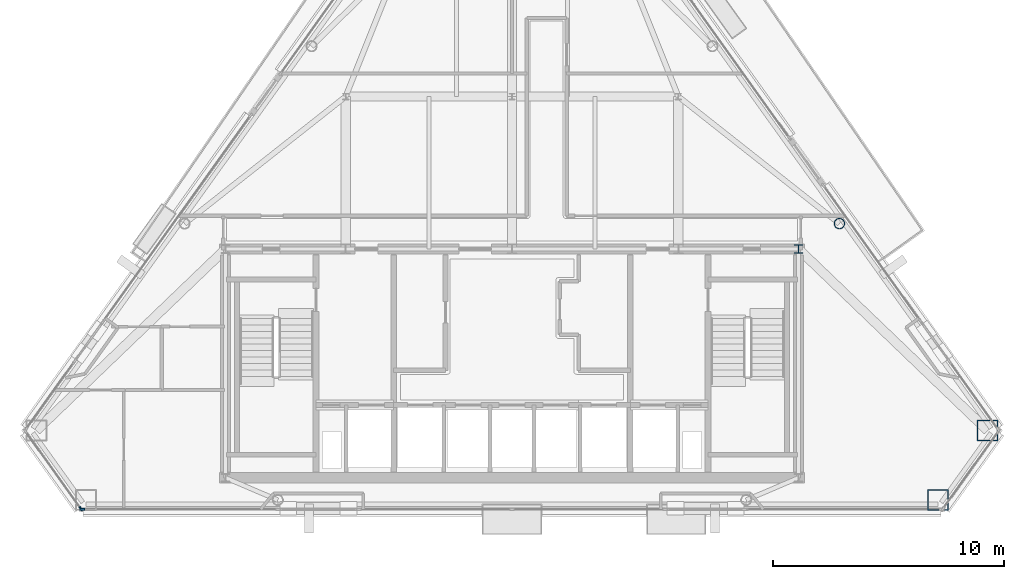
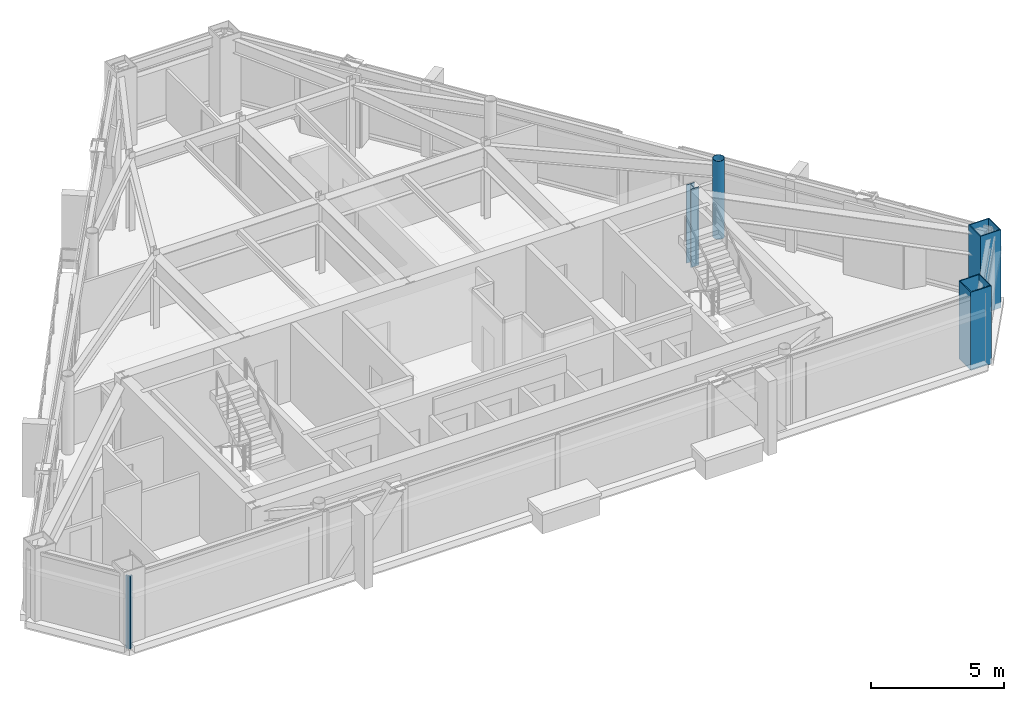
# One storey, part 3 of 12: 4 columns, 2 members, 2 elements without a shape of their own.
"""IFC4 building model written with IfcOpenShell, lengths in metres."""

from ifc_helpers import new_model, si_unit, direction, frame, origin, origin_2d, place, context, subcontext, project, spatial, rectangle, hollow_rectangle, hollow_circle, i_section, extrude, material, layer, layer_set, material_profile, profile_set, type_object, element, aggregate, save


model = new_model("IFC4")

# Units and contexts
model_context = context("Model", 3, precision=1e-05, world=origin(), true_north=direction((0.0, 1.0)))
body_context = subcontext(model_context, "Body", "Model", "MODEL_VIEW")
ifc_project = project(units=[si_unit("LENGTHUNIT", "METRE"), si_unit("AREAUNIT", "SQUARE_METRE"), si_unit("VOLUMEUNIT", "CUBIC_METRE"), si_unit("PLANEANGLEUNIT", "RADIAN"), si_unit("MASSUNIT", "GRAM", prefix="KILO")], contexts=[model_context])

# Site, building, storey
site_placement = place(None, origin())
site = spatial("IfcSite", under=ifc_project, at=site_placement, CompositionType="ELEMENT")
building_placement = place(site_placement, origin())
building = spatial("IfcBuilding", under=site, at=building_placement, Name="Talgorran Terracotta Tower", CompositionType="ELEMENT")
storey_placement = place(building_placement, frame((0.0, 0.0, 252.60009765625)))
storey = spatial("IfcBuildingStorey", under=building, at=storey_placement, Name="L66", CompositionType="ELEMENT", Elevation=252.60009765625)

# Columns
ifc_material_1 = material(Name="Steel S355 (300PLUS)", Category="steel")
ifc_material_profile_1 = material_profile(ifc_material_1, i_section(OverallWidth=0.35205078125, OverallDepth=0.35888671875, WebThickness=0.01806640625, FlangeThickness=0.02587890625, at=origin_2d()), Name="350WC197")
ifc_profile_set_1 = profile_set([ifc_material_profile_1], Name="Steel S355 (300PLUS)")
column_type_1 = type_object("IfcColumnType", Name="COL_350WC197", PredefinedType="COLUMN", material=ifc_profile_set_1)
column_1_placement = place(storey_placement, frame((12.39990234375, -4.199951171875, 0.0), z_axis=(0.0, 0.0, 1.0), x_axis=(1.0, 0.0, 0.0)))
element("IfcColumn", 1, at=column_1_placement, inside=storey, type_object=column_type_1, Name="L66 Core Boundary Column CC3", PredefinedType="COLUMN", context=body_context, shape_type="SweptSolid", body=[
    extrude(i_section(OverallWidth=0.35205078125, OverallDepth=0.35888671875, WebThickness=0.01806640625, FlangeThickness=0.02587890625, at=origin_2d()), origin(), (0.0, 0.0, 1.0), 3.599853515625),
])
ifc_material_2 = material(Name="Steel Grade 350 (350L0)", Category="steel")
ifc_material_profile_2 = material_profile(ifc_material_2, hollow_rectangle(XDim=0.89990234375, YDim=0.89990234375, WallThickness=0.0400390625, at=origin_2d()), Name="CFT900X900X40")
ifc_profile_set_2 = profile_set([ifc_material_profile_2], Name="Steel Grade 350 (350L0)")
column_type_2 = type_object("IfcColumnType", Name="COL_CFT_900", PredefinedType="COLUMN", material=ifc_profile_set_2)
for number, where, z_axis, x_axis, name in (
    (2, (18.43212890625, -15.063232421875, 0.0), (0.0, 0.0, 1.0), (1.0, 0.0, 0.0), "L66 Corner CFT Mega-Column MC3"),
    (3, (20.585205078125, -12.056640625, 0.0), (0.0, 0.0, 1.0), (1.0, 0.0, 0.0), "L66 Corner CFT Mega-Column MC4"),
):
    element("IfcColumn", number, at=place(storey_placement, frame(where, z_axis=z_axis, x_axis=x_axis)), inside=storey, type_object=column_type_2, Name=name, PredefinedType="COLUMN", context=body_context, shape_type="SweptSolid", body=[
        extrude(hollow_rectangle(XDim=0.89990234375, YDim=0.89990234375, WallThickness=0.0400390625, at=origin_2d()), origin(), (0.0, 0.0, 1.0), 3.599853515625),
    ])
ifc_material_3 = material(Name="Steel S350 (C350L0)", Category="steel")
ifc_material_profile_3 = material_profile(ifc_material_3, hollow_circle(Radius=0.228515625, WallThickness=0.01611328125, at=origin_2d()), Name="CHS457X16")
ifc_profile_set_3 = profile_set([ifc_material_profile_3], Name="Steel S350 (C350L0)")
column_type_3 = type_object("IfcColumnType", Name="COL_CHS_457", PredefinedType="COLUMN", material=ifc_profile_set_3)
column_2_placement = place(storey_placement, frame((14.170654296875, -3.09912109375, 0.0), z_axis=(0.0, 0.0, 1.0), x_axis=(1.0, 0.0, 0.0)))
element("IfcColumn", 4, at=column_2_placement, inside=storey, type_object=column_type_3, Name="L66 Facet Perimeter Column FC3", PredefinedType="COLUMN", context=body_context, shape_type="SweptSolid", body=[
    extrude(hollow_circle(Radius=0.228515625, WallThickness=0.01611328125, at=origin_2d()), origin(), (0.0, 0.0, 1.0), 3.599853515625),
])

# Curtain wall, member
ifc_material_4 = material(Name="High-Wind Unitised Glazing", Category="glass")
ifc_layer = layer(ifc_material_4, 0.2099609375, Name="CW_SYS3_RES_HIGH")
ifc_layer_set = layer_set([ifc_layer], Name="High-Wind Unitised Glazing")
curtain_wall_type = type_object("IfcCurtainWallType", Name="CW_SYS3_RES_HIGH", PredefinedType="NOTDEFINED", material=ifc_layer_set)
curtain_wall_1_placement = place(storey_placement, origin())
curtain_wall_1 = element("IfcCurtainWall", 5, at=curtain_wall_1_placement, inside=storey, type_object=curtain_wall_type, Name="CW-L66-F0", PredefinedType="NOTDEFINED")
ifc_material_5 = material(Name="Architectural Aluminium 6063-T6", Category="aluminium")
ifc_material_profile_4 = material_profile(ifc_material_5, rectangle(XDim=0.070068359375, YDim=0.199951171875, at=origin_2d()), Name="CWM70X200")
ifc_profile_set_4 = profile_set([ifc_material_profile_4], Name="Architectural Aluminium 6063-T6")
member_type = type_object("IfcMemberType", Name="MUL_70X200", PredefinedType="MULLION", material=ifc_profile_set_4)
member_1_placement = place(storey_placement, frame((-18.657958984375, -15.434814453125, 0.0), z_axis=(0.0, 0.0, 1.0), x_axis=(0.813031401137, 0.582219838862, 0.0)))
member_1 = element("IfcMember", 6, at=member_1_placement, type_object=member_type, Name="CW-L66-0 mullion 2", PredefinedType="MULLION", context=body_context, shape_type="SweptSolid", body=[
    extrude(rectangle(XDim=0.070068359375, YDim=0.199951171875, at=origin_2d()), origin(), (0.0, 0.0, 1.0), 3.344970703125),
])
aggregate(curtain_wall_1, [member_1])

curtain_wall_2_placement = place(storey_placement, origin())
curtain_wall_2 = element("IfcCurtainWall", 7, at=curtain_wall_2_placement, inside=storey, type_object=curtain_wall_type, Name="CW-L66-F1", PredefinedType="NOTDEFINED")
member_2_placement = place(storey_placement, frame((-18.6025390625, -15.46337890625, 0.0), z_axis=(0.0, 0.0, 1.0), x_axis=(0.0, 1.0, 0.0)))
member_2 = element("IfcMember", 8, at=member_2_placement, type_object=member_type, Name="CW-L66-1 mullion 1", PredefinedType="MULLION", context=body_context, shape_type="SweptSolid", body=[
    extrude(rectangle(XDim=0.070068359375, YDim=0.199951171875, at=origin_2d()), origin(), (0.0, 0.0, 1.0), 3.344970703125),
])
aggregate(curtain_wall_2, [member_2])

save(model, "model.ifc")
